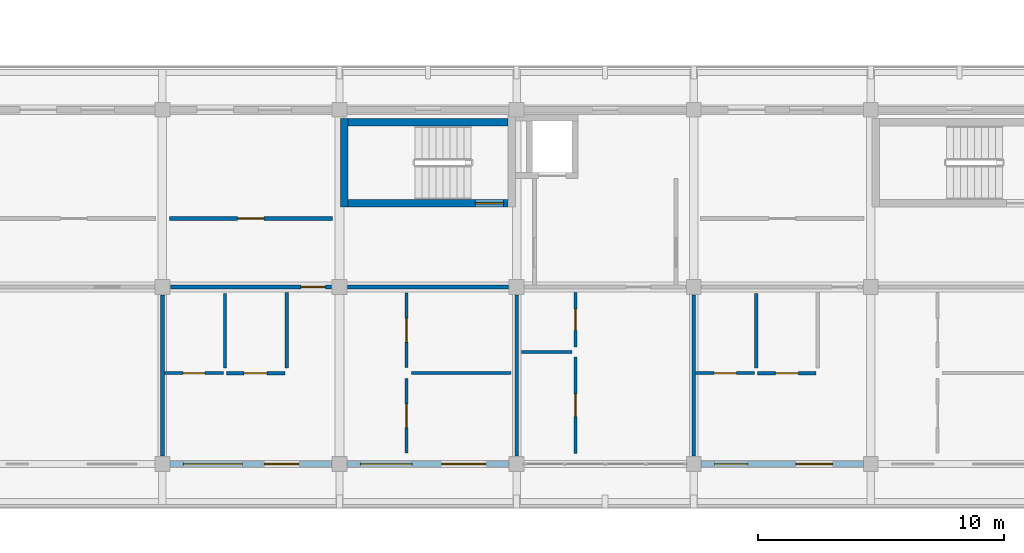
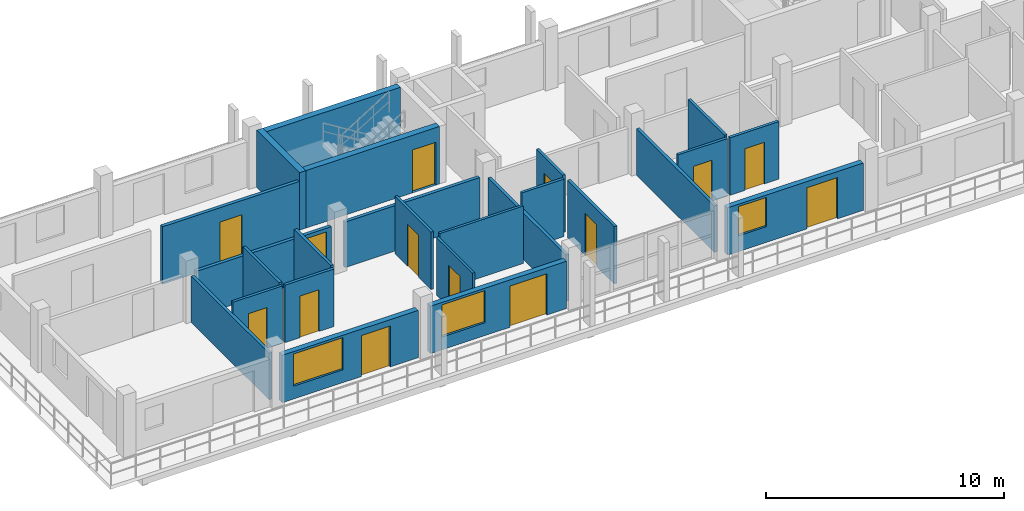
# One storey, part 52 of 78: 25 walls, 14 doors, 3 windows, 17 openings.
"""IFC4 building model written with IfcOpenShell, lengths in metres."""

from ifc_helpers import new_model, si_unit, direction, frame, frame_2d, origin, place, context, subcontext, project, spatial, rectangle, extrude, material, layer, layer_set, type_object, element, fill, save


model = new_model("IFC4")

# Units and contexts
model_context = context("Model", 3, precision=1e-05, world=origin(), true_north=direction((0.0, 1.0)))
body_context = subcontext(model_context, "Body", "Model", "MODEL_VIEW")
ifc_project = project(units=[si_unit("LENGTHUNIT", "METRE"), si_unit("AREAUNIT", "SQUARE_METRE"), si_unit("VOLUMEUNIT", "CUBIC_METRE"), si_unit("PLANEANGLEUNIT", "RADIAN"), si_unit("MASSUNIT", "GRAM", prefix="KILO")], contexts=[model_context])

# Site, building, storey
site_placement = place(None, origin())
site = spatial("IfcSite", under=ifc_project, at=site_placement, CompositionType="ELEMENT")
building_placement = place(site_placement, origin())
building = spatial("IfcBuilding", under=site, at=building_placement, Name="Suanplinth Sawtooth Commons", CompositionType="ELEMENT")
storey_placement = place(building_placement, frame((0.0, 0.0, 15.39990234375)))
storey = spatial("IfcBuildingStorey", under=building, at=storey_placement, Name="L04", CompositionType="ELEMENT", Elevation=15.39990234375)

# Wall, opening, door
ifc_material_1 = material(Name="Concrete C40/50", Category="concrete")
ifc_layer_1 = layer(ifc_material_1, 0.300048828125, Name="Standard RC stair and lift core wall 300mm")
ifc_layer_set_1 = layer_set([ifc_layer_1], Name="Concrete C40/50")
wall_type_1 = type_object("IfcWallType", Name="W-CR02", PredefinedType="SHEAR", material=ifc_layer_set_1)
wall_1_placement = place(storey_placement, frame((137.14990234375, 10.60009765625, 0.0), z_axis=(0.0, 0.0, 1.0), x_axis=(1.0, 0.0, 0.0)))
wall_1 = element("IfcWall", 1, at=wall_1_placement, inside=storey, type_object=wall_type_1, Name="W-L04-C-C1-STS", PredefinedType="SHEAR", context=body_context, shape_type="SweptSolid", body=[
    extrude(rectangle(XDim=6.5, YDim=0.300048828125, at=frame_2d((3.25, 0.0))), origin(), (0.0, 0.0, 1.0), 2.9501953125),
])
opening_1_placement = place(wall_1_placement, frame((5.169921875, 0.0, 0.0)))
opening_1 = element("IfcOpeningElement", 2, at=opening_1_placement, cuts=wall_1, Name="Opening FD0296", PredefinedType="OPENING", context=body_context, shape_type="SweptSolid", body=[
    extrude(rectangle(XDim=1.14990234375, YDim=2.199951171875, at=frame_2d((0.574951171875, 1.10009765625))), frame((0.0, 0.1650390625, 0.0), z_axis=(0.0, -1.0, 0.0), x_axis=(1.0, 0.0, 0.0)), (0.0, 0.0, 1.0), 0.329833984375),
])
ifc_material_2 = material(Name="Teak hardwood fire-rated door assembly", Category="wood")
door_type_1 = type_object("IfcDoorType", Name="FD-01", OperationType="NOTDEFINED", PredefinedType="DOOR", material=ifc_material_2)
door_1_placement = place(opening_1_placement, origin())
door_1 = element("IfcDoor", 3, at=door_1_placement, inside=storey, type_object=door_type_1, Name="Exit Stair Fire Door FD0296", OperationType="SINGLE_SWING_RIGHT", OverallHeight=2.199951171875, OverallWidth=1.14990234375, PredefinedType="DOOR", context=body_context, shape_type="SweptSolid", body=[
    extrude(rectangle(XDim=1.14990234375, YDim=2.199951171875, at=frame_2d((0.574951171875, 1.10009765625))), frame((0.0, 0.02490234375, 0.0), z_axis=(0.0, -1.0, 0.0), x_axis=(1.0, 0.0, 0.0)), (0.0, 0.0, 1.0), 0.050048828125),
])
fill(opening_1, door_1)

# Walls
wall_2_placement = place(storey_placement, frame((137.14990234375, 13.89990234375, 0.0), z_axis=(0.0, 0.0, 1.0), x_axis=(1.0, 0.0, 0.0)))
element("IfcWall", 4, at=wall_2_placement, inside=storey, type_object=wall_type_1, Name="W-L04-C-C1-STN", PredefinedType="SHEAR", context=body_context, shape_type="SweptSolid", body=[
    extrude(rectangle(XDim=6.5, YDim=0.300048828125, at=frame_2d((3.25, 0.0))), origin(), (0.0, 0.0, 1.0), 2.9501953125),
])
wall_3_placement = place(storey_placement, frame((137.0, 10.449951171875, 0.0), z_axis=(0.0, 0.0, 1.0), x_axis=(0.0, 1.0, 0.0)))
element("IfcWall", 5, at=wall_3_placement, inside=storey, type_object=wall_type_1, Name="W-L04-C-C1-STW", PredefinedType="SHEAR", context=body_context, shape_type="SweptSolid", body=[
    extrude(rectangle(XDim=3.60009765625, YDim=0.300048828125, at=frame_2d((1.800048828125, 0.0))), origin(), (0.0, 0.0, 1.0), 2.9501953125),
])

# Wall, openings, door, window
ifc_material_3 = material(Name="Precast concrete C40/50", Category="concrete")
ifc_layer_2 = layer(ifc_material_3, 0.260009765625, Name="Insulated precast courtyard facade wall 260mm")
ifc_layer_set_2 = layer_set([ifc_layer_2], Name="Precast concrete C40/50")
wall_type_2 = type_object("IfcWallType", Name="W-EX02", PredefinedType="ELEMENTEDWALL", material=ifc_layer_set_2)
wall_4_placement = place(storey_placement, frame((129.89990234375, 0.0, 0.0), z_axis=(0.0, 0.0, 1.0), x_axis=(1.0, 0.0, 0.0)))
wall_4 = element("IfcWall", 6, at=wall_4_placement, inside=storey, type_object=wall_type_2, Name="Facade Wall W-L04-C-S-18-0", PredefinedType="ELEMENTEDWALL", context=body_context, shape_type="SweptSolid", body=[
    extrude(rectangle(XDim=6.60009765625, YDim=0.260009765625, at=frame_2d((3.300048828125, 0.0))), origin(), (0.0, 0.0, 1.0), 2.43017578125),
])
opening_2_placement = place(wall_4_placement, frame((3.85009765625, 0.0, 0.0)))
opening_2 = element("IfcOpeningElement", 7, at=opening_2_placement, cuts=wall_4, Name="Opening ED0360", PredefinedType="OPENING", context=body_context, shape_type="SweptSolid", body=[
    extrude(rectangle(XDim=1.39990234375, YDim=2.10009765625, at=frame_2d((0.699951171875, 1.050048828125))), frame((0.0, 0.14501953125, 0.0), z_axis=(0.0, -1.0, 0.0), x_axis=(1.0, 0.0, 0.0)), (0.0, 0.0, 1.0), 0.289794921875),
])
opening_3_placement = place(wall_4_placement, frame((0.550048828125, 0.0, 0.659912109375)))
opening_3 = element("IfcOpeningElement", 8, at=opening_3_placement, cuts=wall_4, Name="Opening W0458", PredefinedType="OPENING", context=body_context, shape_type="SweptSolid", body=[
    extrude(rectangle(XDim=2.39990234375, YDim=1.64990234375, at=frame_2d((1.199951171875, 0.824951171875))), frame((0.0, 0.14501953125, 0.0), z_axis=(0.0, -1.0, 0.0), x_axis=(1.0, 0.0, 0.0)), (0.0, 0.0, 1.0), 0.289794921875),
])
ifc_material_4 = material(Name="Anodized aluminium and low-E glass", Category="aluminium")
door_type_2 = type_object("IfcDoorType", Name="SD-07", OperationType="SLIDING_TO_RIGHT", PredefinedType="DOOR", material=ifc_material_4)
door_2_placement = place(opening_2_placement, frame((1.39990234375, 0.0, 0.0), z_axis=(0.0, 0.0, 1.0), x_axis=(-1.0, 0.0, 0.0)))
door_2 = element("IfcDoor", 9, at=door_2_placement, inside=storey, type_object=door_type_2, Name="Balcony Sliding Door L04-C-18", OperationType="SLIDING_TO_RIGHT", OverallHeight=2.10009765625, OverallWidth=1.39990234375, PredefinedType="DOOR", context=body_context, shape_type="SweptSolid", body=[
    extrude(rectangle(XDim=1.39990234375, YDim=2.10009765625, at=frame_2d((0.699951171875, 1.050048828125))), frame((0.0, 0.02490234375, 0.0), z_axis=(0.0, -1.0, 0.0), x_axis=(1.0, 0.0, 0.0)), (0.0, 0.0, 1.0), 0.050048828125),
])
fill(opening_2, door_2)
ifc_material_5 = material(Name="Thermally broken aluminium and low-E double glazing", Category="aluminium")
window_type_1 = type_object("IfcWindowType", Name="WN-05", PartitioningType="TRIPLE_PANEL_VERTICAL", PredefinedType="WINDOW", material=ifc_material_5)
window_1_placement = place(opening_3_placement, origin())
window_1 = element("IfcWindow", 10, at=window_1_placement, inside=storey, type_object=window_type_1, Name="Apartment Window L04-C-18", OverallHeight=1.64990234375, OverallWidth=2.39990234375, PartitioningType="TRIPLE_PANEL_VERTICAL", PredefinedType="WINDOW", context=body_context, shape_type="SweptSolid", body=[
    extrude(rectangle(XDim=2.39990234375, YDim=1.64990234375, at=frame_2d((1.199951171875, 0.824951171875))), frame((0.0, 0.030029296875, 0.0), z_axis=(0.0, -1.0, 0.0), x_axis=(1.0, 0.0, 0.0)), (0.0, 0.0, 1.0), 0.06005859375),
])
fill(opening_3, window_1)

wall_5_placement = place(storey_placement, frame((137.10009765625, 0.0, 0.0), z_axis=(0.0, 0.0, 1.0), x_axis=(1.0, 0.0, 0.0)))
wall_5 = element("IfcWall", 11, at=wall_5_placement, inside=storey, type_object=wall_type_2, Name="Facade Wall W-L04-C-S-19-0", PredefinedType="ELEMENTEDWALL", context=body_context, shape_type="SweptSolid", body=[
    extrude(rectangle(XDim=6.599853515625, YDim=0.260009765625, at=frame_2d((3.2998046875, 0.0))), origin(), (0.0, 0.0, 1.0), 2.43017578125),
])
opening_4_placement = place(wall_5_placement, frame((3.85009765625, 0.0, 0.0)))
opening_4 = element("IfcOpeningElement", 12, at=opening_4_placement, cuts=wall_5, Name="Opening ED0362", PredefinedType="OPENING", context=body_context, shape_type="SweptSolid", body=[
    extrude(rectangle(XDim=1.800048828125, YDim=2.1201171875, at=frame_2d((0.89990234375, 1.06005859375))), frame((0.0, 0.14501953125, 0.0), z_axis=(0.0, -1.0, 0.0), x_axis=(1.0, 0.0, 0.0)), (0.0, 0.0, 1.0), 0.289794921875),
])
opening_5_placement = place(wall_5_placement, frame((0.550048828125, 0.0, 0.659912109375)))
opening_5 = element("IfcOpeningElement", 13, at=opening_5_placement, cuts=wall_5, Name="Opening W0460", PredefinedType="OPENING", context=body_context, shape_type="SweptSolid", body=[
    extrude(rectangle(XDim=2.10009765625, YDim=1.64990234375, at=frame_2d((1.050048828125, 0.824951171875))), frame((0.0, 0.14501953125, 0.0), z_axis=(0.0, -1.0, 0.0), x_axis=(1.0, 0.0, 0.0)), (0.0, 0.0, 1.0), 0.289794921875),
])
door_type_3 = type_object("IfcDoorType", Name="SD-01", OperationType="SLIDING_TO_LEFT", PredefinedType="DOOR", material=ifc_material_4)
door_3_placement = place(opening_4_placement, frame((1.800048828125, 0.0, 0.0), z_axis=(0.0, 0.0, 1.0), x_axis=(-1.0, 0.0, 0.0)))
door_3 = element("IfcDoor", 14, at=door_3_placement, inside=storey, type_object=door_type_3, Name="Balcony Sliding Door L04-C-19", OperationType="SLIDING_TO_LEFT", OverallHeight=2.1201171875, OverallWidth=1.800048828125, PredefinedType="DOOR", context=body_context, shape_type="SweptSolid", body=[
    extrude(rectangle(XDim=1.800048828125, YDim=2.1201171875, at=frame_2d((0.89990234375, 1.06005859375))), frame((0.0, 0.02490234375, 0.0), z_axis=(0.0, -1.0, 0.0), x_axis=(1.0, 0.0, 0.0)), (0.0, 0.0, 1.0), 0.050048828125),
])
fill(opening_4, door_3)
window_type_2 = type_object("IfcWindowType", Name="WN-06", PartitioningType="DOUBLE_PANEL_VERTICAL", PredefinedType="WINDOW", material=ifc_material_5)
window_2_placement = place(opening_5_placement, origin())
window_2 = element("IfcWindow", 15, at=window_2_placement, inside=storey, type_object=window_type_2, Name="Apartment Window L04-C-19", OverallHeight=1.64990234375, OverallWidth=2.10009765625, PartitioningType="DOUBLE_PANEL_VERTICAL", PredefinedType="WINDOW", context=body_context, shape_type="SweptSolid", body=[
    extrude(rectangle(XDim=2.10009765625, YDim=1.64990234375, at=frame_2d((1.050048828125, 0.824951171875))), frame((0.0, 0.030029296875, 0.0), z_axis=(0.0, -1.0, 0.0), x_axis=(1.0, 0.0, 0.0)), (0.0, 0.0, 1.0), 0.06005859375),
])
fill(opening_5, window_2)

wall_6_placement = place(storey_placement, frame((151.5, 0.0, 0.0), z_axis=(0.0, 0.0, 1.0), x_axis=(1.0, 0.0, 0.0)))
wall_6 = element("IfcWall", 16, at=wall_6_placement, inside=storey, type_object=wall_type_2, Name="Facade Wall W-L04-C-S-21-0", PredefinedType="ELEMENTEDWALL", context=body_context, shape_type="SweptSolid", body=[
    extrude(rectangle(XDim=6.60009765625, YDim=0.260009765625, at=frame_2d((3.300048828125, 0.0))), origin(), (0.0, 0.0, 1.0), 2.43017578125),
])
opening_6_placement = place(wall_6_placement, frame((3.85009765625, 0.0, 0.0)))
opening_6 = element("IfcOpeningElement", 17, at=opening_6_placement, cuts=wall_6, Name="Opening ED0363", PredefinedType="OPENING", context=body_context, shape_type="SweptSolid", body=[
    extrude(rectangle(XDim=1.5, YDim=2.1201171875, at=frame_2d((0.75, 1.06005859375))), frame((0.0, 0.14501953125, 0.0), z_axis=(0.0, -1.0, 0.0), x_axis=(1.0, 0.0, 0.0)), (0.0, 0.0, 1.0), 0.289794921875),
])
opening_7_placement = place(wall_6_placement, frame((0.550048828125, 0.0, 0.81005859375)))
opening_7 = element("IfcOpeningElement", 18, at=opening_7_placement, cuts=wall_6, Name="Opening W0463", PredefinedType="OPENING", context=body_context, shape_type="SweptSolid", body=[
    extrude(rectangle(XDim=1.35009765625, YDim=1.5, at=frame_2d((0.675048828125, 0.75))), frame((0.0, 0.14501953125, 0.0), z_axis=(0.0, -1.0, 0.0), x_axis=(1.0, 0.0, 0.0)), (0.0, 0.0, 1.0), 0.289794921875),
])
door_type_4 = type_object("IfcDoorType", Name="SD-03", OperationType="SLIDING_TO_LEFT", PredefinedType="DOOR", material=ifc_material_4)
door_4_placement = place(opening_6_placement, frame((1.5, 0.0, 0.0), z_axis=(0.0, 0.0, 1.0), x_axis=(-1.0, 0.0, 0.0)))
door_4 = element("IfcDoor", 19, at=door_4_placement, inside=storey, type_object=door_type_4, Name="Balcony Sliding Door L04-C-21", OperationType="SLIDING_TO_LEFT", OverallHeight=2.1201171875, OverallWidth=1.5, PredefinedType="DOOR", context=body_context, shape_type="SweptSolid", body=[
    extrude(rectangle(XDim=1.5, YDim=2.1201171875, at=frame_2d((0.75, 1.06005859375))), frame((0.0, 0.02490234375, 0.0), z_axis=(0.0, -1.0, 0.0), x_axis=(1.0, 0.0, 0.0)), (0.0, 0.0, 1.0), 0.050048828125),
])
fill(opening_6, door_4)
window_type_3 = type_object("IfcWindowType", Name="WN-14", PartitioningType="SINGLE_PANEL", PredefinedType="WINDOW", material=ifc_material_5)
window_3_placement = place(opening_7_placement, origin())
window_3 = element("IfcWindow", 20, at=window_3_placement, inside=storey, type_object=window_type_3, Name="Apartment Window L04-C-21", OverallHeight=1.5, OverallWidth=1.35009765625, PartitioningType="SINGLE_PANEL", PredefinedType="WINDOW", context=body_context, shape_type="SweptSolid", body=[
    extrude(rectangle(XDim=1.35009765625, YDim=1.5, at=frame_2d((0.675048828125, 0.75))), frame((0.0, 0.030029296875, 0.0), z_axis=(0.0, -1.0, 0.0), x_axis=(1.0, 0.0, 0.0)), (0.0, 0.0, 1.0), 0.06005859375),
])
fill(opening_7, window_3)

# Wall, opening, door
ifc_layer_3 = layer(ifc_material_3, 0.159912109375, Name="Fire-rated corridor and lobby wall 160mm")
ifc_layer_set_3 = layer_set([ifc_layer_3], Name="Precast concrete C40/50")
wall_type_3 = type_object("IfcWallType", Name="W-FW01", PredefinedType="PARTITIONING", material=ifc_layer_set_3)
wall_7_placement = place(storey_placement, frame((129.929931640625, 7.199951171875, 0.0), z_axis=(0.0, 0.0, 1.0), x_axis=(1.0, 0.0, 0.0)))
wall_7 = element("IfcWall", 21, at=wall_7_placement, inside=storey, type_object=wall_type_3, Name="W-C-L04-U02-COR-S1", PredefinedType="PARTITIONING", context=body_context, shape_type="SweptSolid", body=[
    extrude(rectangle(XDim=6.5400390625, YDim=0.159912109375, at=frame_2d((3.27001953125, 0.0))), origin(), (0.0, 0.0, 1.0), 2.335205078125),
])
opening_8_placement = place(wall_7_placement, frame((5.300048828125, 0.0, 0.0)))
opening_8 = element("IfcOpeningElement", 22, at=opening_8_placement, cuts=wall_7, Name="Opening FD1135", PredefinedType="OPENING", context=body_context, shape_type="SweptSolid", body=[
    extrude(rectangle(XDim=1.0, YDim=2.14990234375, at=frame_2d((0.5, 1.074951171875))), frame((0.0, 0.0947265625, 0.0), z_axis=(0.0, -1.0, 0.0), x_axis=(1.0, 0.0, 0.0)), (0.0, 0.0, 1.0), 0.189697265625),
])
door_type_5 = type_object("IfcDoorType", Name="FD-03", OperationType="NOTDEFINED", PredefinedType="DOOR", material=ifc_material_2)
door_5_placement = place(opening_8_placement, frame((1.0, 0.0, 0.0), z_axis=(0.0, 0.0, 1.0), x_axis=(-1.0, 0.0, 0.0)))
door_5 = element("IfcDoor", 23, at=door_5_placement, inside=storey, type_object=door_type_5, Name="Unit Entrance Door FD1135", OperationType="SINGLE_SWING_LEFT", OverallHeight=2.14990234375, OverallWidth=1.0, PredefinedType="DOOR", context=body_context, shape_type="SweptSolid", body=[
    extrude(rectangle(XDim=1.0, YDim=2.14990234375, at=frame_2d((0.5, 1.074951171875))), frame((0.0, 0.02490234375, 0.0), z_axis=(0.0, -1.0, 0.0), x_axis=(1.0, 0.0, 0.0)), (0.0, 0.0, 1.0), 0.050048828125),
])
fill(opening_8, door_5)

# Wall
wall_8_placement = place(storey_placement, frame((137.1298828125, 7.199951171875, 0.0), z_axis=(0.0, 0.0, 1.0), x_axis=(1.0, 0.0, 0.0)))
element("IfcWall", 24, at=wall_8_placement, inside=storey, type_object=wall_type_3, Name="W-C-L04-U02-COR-S2", PredefinedType="PARTITIONING", context=body_context, shape_type="SweptSolid", body=[
    extrude(rectangle(XDim=6.5400390625, YDim=0.159912109375, at=frame_2d((3.27001953125, 0.0))), origin(), (0.0, 0.0, 1.0), 2.335205078125),
])

# Wall, opening, door
wall_9_placement = place(storey_placement, frame((129.8798828125, 9.97998046875, 0.0), z_axis=(0.0, 0.0, 1.0), x_axis=(1.0, 0.0, 0.0)))
wall_9 = element("IfcWall", 25, at=wall_9_placement, inside=storey, type_object=wall_type_3, Name="W-C-L04-COURTROOM-49-COR", PredefinedType="PARTITIONING", context=body_context, shape_type="SweptSolid", body=[
    extrude(rectangle(XDim=6.64013671875, YDim=0.159912109375, at=frame_2d((3.320068359375, 0.0))), origin(), (0.0, 0.0, 1.0), 2.9501953125),
])
opening_9_placement = place(wall_9_placement, frame((2.780029296875, 0.0, 0.0)))
opening_9 = element("IfcOpeningElement", 26, at=opening_9_placement, cuts=wall_9, Name="Opening D1157", PredefinedType="OPENING", context=body_context, shape_type="SweptSolid", body=[
    extrude(rectangle(XDim=1.080078125, YDim=2.219970703125, at=frame_2d((0.5400390625, 1.10986328125))), frame((0.0, 0.0947265625, 0.0), z_axis=(0.0, -1.0, 0.0), x_axis=(1.0, 0.0, 0.0)), (0.0, 0.0, 1.0), 0.189697265625),
])
ifc_material_6 = material(Name="Teak hardwood", Category="wood")
door_type_6 = type_object("IfcDoorType", Name="D-17", OperationType="NOTDEFINED", PredefinedType="DOOR", material=ifc_material_6)
door_6_placement = place(opening_9_placement, origin())
door_6 = element("IfcDoor", 27, at=door_6_placement, inside=storey, type_object=door_type_6, Name="Study Studio Door D1157", OperationType="SINGLE_SWING_LEFT", OverallHeight=2.219970703125, OverallWidth=1.080078125, PredefinedType="DOOR", context=body_context, shape_type="SweptSolid", body=[
    extrude(rectangle(XDim=1.080078125, YDim=2.219970703125, at=frame_2d((0.5400390625, 1.10986328125))), frame((0.0, 0.02490234375, 0.0), z_axis=(0.0, -1.0, 0.0), x_axis=(1.0, 0.0, 0.0)), (0.0, 0.0, 1.0), 0.050048828125),
])
fill(opening_9, door_6)

# Walls
ifc_layer_4 = layer(ifc_material_3, 0.14990234375, Name="Acoustic precast party demising wall 150mm")
ifc_layer_set_4 = layer_set([ifc_layer_4], Name="Precast concrete C40/50")
wall_type_4 = type_object("IfcWallType", Name="W-FW02", PredefinedType="PARTITIONING", material=ifc_layer_set_4)
for number, where, z_axis, x_axis, name in (
    (28, (129.60009765625, 0.330078125, 0.0), (0.0, 0.0, 1.0), (0.0, 1.0, 0.0), "W-C-L04-U01-PTY"),
    (29, (144.0, 0.330078125, 0.0), (0.0, 0.0, 1.0), (0.0, 1.0, 0.0), "W-C-L04-U02-PTY"),
    (30, (151.199951171875, 0.330078125, 0.0), (0.0, 0.0, 1.0), (0.0, 1.0, 0.0), "W-C-L04-U03-PTY"),
):
    element("IfcWall", number, at=place(storey_placement, frame(where, z_axis=z_axis, x_axis=x_axis)), inside=storey, type_object=wall_type_4, Name=name, PredefinedType="PARTITIONING", context=body_context, shape_type="SweptSolid", body=[
        extrude(rectangle(XDim=6.5400390625, YDim=0.14990234375, at=frame_2d((3.27001953125, 0.0))), origin(), (0.0, 0.0, 1.0), 2.385009765625),
    ])

# Wall, opening, door
ifc_material_7 = material(Name="Gypsum plasterboard on steel stud", Category="steel")
ifc_layer_5 = layer(ifc_material_7, 0.139892578125, Name="Fire-rated kitchen partition 140mm")
ifc_layer_set_5 = layer_set([ifc_layer_5], Name="Gypsum plasterboard on steel stud")
wall_type_5 = type_object("IfcWallType", Name="W-PT01", PredefinedType="PARTITIONING", material=ifc_layer_set_5)
wall_10_placement = place(storey_placement, frame((132.199951171875, 3.68994140625, 0.0), z_axis=(0.0, 0.0, 1.0), x_axis=(1.0, 0.0, 0.0)))
wall_10 = element("IfcWall", 31, at=wall_10_placement, inside=storey, type_object=wall_type_5, Name="W-C-L04-U02-KIT1", PredefinedType="PARTITIONING", context=body_context, shape_type="SweptSolid", body=[
    extrude(rectangle(XDim=2.380126953125, YDim=0.139892578125, at=frame_2d((1.18994140625, 0.0))), origin(), (0.0, 0.0, 1.0), 2.9501953125),
])
opening_10_placement = place(wall_10_placement, frame((0.72509765625, 0.0, 0.0)))
opening_10 = element("IfcOpeningElement", 32, at=opening_10_placement, cuts=wall_10, Name="Opening D1137", PredefinedType="OPENING", context=body_context, shape_type="SweptSolid", body=[
    extrude(rectangle(XDim=0.929931640625, YDim=2.139892578125, at=frame_2d((0.46484375, 1.06982421875))), frame((0.0, 0.0849609375, 0.0), z_axis=(0.0, -1.0, 0.0), x_axis=(1.0, 0.0, 0.0)), (0.0, 0.0, 1.0), 0.169677734375),
])
door_type_7 = type_object("IfcDoorType", Name="D-19", OperationType="NOTDEFINED", PredefinedType="DOOR", material=ifc_material_6)
door_7_placement = place(opening_10_placement, origin())
door_7 = element("IfcDoor", 33, at=door_7_placement, inside=storey, type_object=door_type_7, Name="Kitchen Door D1137", OperationType="SINGLE_SWING_LEFT", OverallHeight=2.139892578125, OverallWidth=0.929931640625, PredefinedType="DOOR", context=body_context, shape_type="SweptSolid", body=[
    extrude(rectangle(XDim=0.929931640625, YDim=2.139892578125, at=frame_2d((0.46484375, 1.06982421875))), frame((0.0, 0.02490234375, 0.0), z_axis=(0.0, -1.0, 0.0), x_axis=(1.0, 0.0, 0.0)), (0.0, 0.0, 1.0), 0.050048828125),
])
fill(opening_10, door_7)

# Wall
wall_11_placement = place(storey_placement, frame((134.64990234375, 3.909912109375, 0.0), z_axis=(0.0, 0.0, 1.0), x_axis=(0.0, 1.0, 0.0)))
element("IfcWall", 34, at=wall_11_placement, inside=storey, type_object=wall_type_5, Name="W-C-L04-U02-KIT2", PredefinedType="PARTITIONING", context=body_context, shape_type="SweptSolid", body=[
    extrude(rectangle(XDim=3.06005859375, YDim=0.139892578125, at=frame_2d((1.530029296875, 0.0))), origin(), (0.0, 0.0, 1.0), 2.9501953125),
])

# Wall, opening, door
wall_12_placement = place(storey_placement, frame((146.39501953125, 0.419921875, 0.0), z_axis=(0.0, 0.0, 1.0), x_axis=(0.0, 1.0, 0.0)))
wall_12 = element("IfcWall", 35, at=wall_12_placement, inside=storey, type_object=wall_type_5, Name="W-C-L04-U03-KITE", PredefinedType="PARTITIONING", context=body_context, shape_type="SweptSolid", body=[
    extrude(rectangle(XDim=3.940185546875, YDim=0.139892578125, at=frame_2d((1.97021484375, 0.0))), origin(), (0.0, 0.0, 1.0), 2.9501953125),
])
opening_11_placement = place(wall_12_placement, frame((1.5048828125, 0.0, 0.0)))
opening_11 = element("IfcOpeningElement", 36, at=opening_11_placement, cuts=wall_12, Name="Opening D1142", PredefinedType="OPENING", context=body_context, shape_type="SweptSolid", body=[
    extrude(rectangle(XDim=0.929931640625, YDim=2.139892578125, at=frame_2d((0.46484375, 1.06982421875))), frame((0.0, 0.0849609375, 0.0), z_axis=(0.0, -1.0, 0.0), x_axis=(1.0, 0.0, 0.0)), (0.0, 0.0, 1.0), 0.169677734375),
])
door_8_placement = place(opening_11_placement, origin())
door_8 = element("IfcDoor", 37, at=door_8_placement, inside=storey, type_object=door_type_7, Name="Kitchen Door D1142", OperationType="SINGLE_SWING_RIGHT", OverallHeight=2.139892578125, OverallWidth=0.929931640625, PredefinedType="DOOR", context=body_context, shape_type="SweptSolid", body=[
    extrude(rectangle(XDim=0.929931640625, YDim=2.139892578125, at=frame_2d((0.46484375, 1.06982421875))), frame((0.0, 0.02490234375, 0.0), z_axis=(0.0, -1.0, 0.0), x_axis=(1.0, 0.0, 0.0)), (0.0, 0.0, 1.0), 0.050048828125),
])
fill(opening_11, door_8)

wall_13_placement = place(storey_placement, frame((153.800048828125, 3.68994140625, 0.0), z_axis=(0.0, 0.0, 1.0), x_axis=(1.0, 0.0, 0.0)))
wall_13 = element("IfcWall", 38, at=wall_13_placement, inside=storey, type_object=wall_type_5, Name="W-C-L04-U04-KIT1", PredefinedType="PARTITIONING", context=body_context, shape_type="SweptSolid", body=[
    extrude(rectangle(XDim=2.3798828125, YDim=0.139892578125, at=frame_2d((1.18994140625, 0.0))), origin(), (0.0, 0.0, 1.0), 2.9501953125),
])
opening_12_placement = place(wall_13_placement, frame((0.72509765625, 0.0, 0.0)))
opening_12 = element("IfcOpeningElement", 39, at=opening_12_placement, cuts=wall_13, Name="Opening D1145", PredefinedType="OPENING", context=body_context, shape_type="SweptSolid", body=[
    extrude(rectangle(XDim=0.929931640625, YDim=2.139892578125, at=frame_2d((0.46484375, 1.06982421875))), frame((0.0, 0.0849609375, 0.0), z_axis=(0.0, -1.0, 0.0), x_axis=(1.0, 0.0, 0.0)), (0.0, 0.0, 1.0), 0.169677734375),
])
door_9_placement = place(opening_12_placement, origin())
door_9 = element("IfcDoor", 40, at=door_9_placement, inside=storey, type_object=door_type_7, Name="Kitchen Door D1145", OperationType="SINGLE_SWING_LEFT", OverallHeight=2.139892578125, OverallWidth=0.929931640625, PredefinedType="DOOR", context=body_context, shape_type="SweptSolid", body=[
    extrude(rectangle(XDim=0.929931640625, YDim=2.139892578125, at=frame_2d((0.46484375, 1.06982421875))), frame((0.0, 0.02490234375, 0.0), z_axis=(0.0, -1.0, 0.0), x_axis=(1.0, 0.0, 0.0)), (0.0, 0.0, 1.0), 0.050048828125),
])
fill(opening_12, door_9)

ifc_layer_6 = layer(ifc_material_7, 0.1298828125, Name="Moisture-resistant bathroom partition 130mm")
ifc_layer_set_6 = layer_set([ifc_layer_6], Name="Gypsum plasterboard on steel stud")
wall_type_6 = type_object("IfcWallType", Name="W-PT02", PredefinedType="PARTITIONING", material=ifc_layer_set_6)
wall_14_placement = place(storey_placement, frame((129.679931640625, 3.695068359375, 0.0), z_axis=(0.0, 0.0, 1.0), x_axis=(1.0, 0.0, 0.0)))
wall_14 = element("IfcWall", 41, at=wall_14_placement, inside=storey, type_object=wall_type_6, Name="W-C-L04-U02-BTH1", PredefinedType="PARTITIONING", context=body_context, shape_type="SweptSolid", body=[
    extrude(rectangle(XDim=2.400146484375, YDim=0.1298828125, at=frame_2d((1.2001953125, 0.0))), origin(), (0.0, 0.0, 1.0), 2.9501953125),
])
opening_13_placement = place(wall_14_placement, frame((0.75, 0.0, 0.0)))
opening_13 = element("IfcOpeningElement", 42, at=opening_13_placement, cuts=wall_14, Name="Opening D1136", PredefinedType="OPENING", context=body_context, shape_type="SweptSolid", body=[
    extrude(rectangle(XDim=0.89990234375, YDim=2.10009765625, at=frame_2d((0.449951171875, 1.050048828125))), frame((0.0, 0.079833984375, 0.0), z_axis=(0.0, -1.0, 0.0), x_axis=(1.0, 0.0, 0.0)), (0.0, 0.0, 1.0), 0.15966796875),
])
door_type_8 = type_object("IfcDoorType", Name="D-01", OperationType="NOTDEFINED", PredefinedType="DOOR", material=ifc_material_6)
door_10_placement = place(opening_13_placement, origin())
door_10 = element("IfcDoor", 43, at=door_10_placement, inside=storey, type_object=door_type_8, Name="Bathroom Door D1136", OperationType="SINGLE_SWING_RIGHT", OverallHeight=2.10009765625, OverallWidth=0.89990234375, PredefinedType="DOOR", context=body_context, shape_type="SweptSolid", body=[
    extrude(rectangle(XDim=0.89990234375, YDim=2.10009765625, at=frame_2d((0.449951171875, 1.050048828125))), frame((0.0, 0.02490234375, 0.0), z_axis=(0.0, -1.0, 0.0), x_axis=(1.0, 0.0, 0.0)), (0.0, 0.0, 1.0), 0.050048828125),
])
fill(opening_13, door_10)

# Walls
wall_15_placement = place(storey_placement, frame((132.14501953125, 3.89990234375, 0.0), z_axis=(0.0, 0.0, 1.0), x_axis=(0.0, 1.0, 0.0)))
element("IfcWall", 44, at=wall_15_placement, inside=storey, type_object=wall_type_6, Name="W-C-L04-U02-BTH2", PredefinedType="PARTITIONING", context=body_context, shape_type="SweptSolid", body=[
    extrude(rectangle(XDim=3.0400390625, YDim=0.1298828125, at=frame_2d((1.52001953125, 0.0))), origin(), (0.0, 0.0, 1.0), 2.9501953125),
])
wall_16_placement = place(storey_placement, frame((144.199951171875, 4.56005859375, 0.0), z_axis=(0.0, 0.0, 1.0), x_axis=(1.0, 0.0, 0.0)))
element("IfcWall", 45, at=wall_16_placement, inside=storey, type_object=wall_type_6, Name="W-C-L04-U03-STDIV", PredefinedType="PARTITIONING", context=body_context, shape_type="SweptSolid", body=[
    extrude(rectangle(XDim=2.050048828125, YDim=0.1298828125, at=frame_2d((1.02490234375, 0.0))), origin(), (0.0, 0.0, 1.0), 2.9501953125),
])

# Wall, opening, door
wall_17_placement = place(storey_placement, frame((146.39501953125, 4.760009765625, 0.0), z_axis=(0.0, 0.0, 1.0), x_axis=(0.0, 1.0, 0.0)))
wall_17 = element("IfcWall", 46, at=wall_17_placement, inside=storey, type_object=wall_type_6, Name="W-C-L04-U03-BTHE", PredefinedType="PARTITIONING", context=body_context, shape_type="SweptSolid", body=[
    extrude(rectangle(XDim=2.219970703125, YDim=0.1298828125, at=frame_2d((1.10986328125, 0.0))), origin(), (0.0, 0.0, 1.0), 2.9501953125),
])
opening_14_placement = place(wall_17_placement, frame((0.669921875, 0.0, 0.0)))
opening_14 = element("IfcOpeningElement", 47, at=opening_14_placement, cuts=wall_17, Name="Opening D1141", PredefinedType="OPENING", context=body_context, shape_type="SweptSolid", body=[
    extrude(rectangle(XDim=0.8798828125, YDim=2.10009765625, at=frame_2d((0.43994140625, 1.050048828125))), frame((0.0, 0.079833984375, 0.0), z_axis=(0.0, -1.0, 0.0), x_axis=(1.0, 0.0, 0.0)), (0.0, 0.0, 1.0), 0.15966796875),
])
door_type_9 = type_object("IfcDoorType", Name="D-14", OperationType="NOTDEFINED", PredefinedType="DOOR", material=ifc_material_6)
door_11_placement = place(opening_14_placement, origin())
door_11 = element("IfcDoor", 48, at=door_11_placement, inside=storey, type_object=door_type_9, Name="Bathroom Door D1141", OperationType="SINGLE_SWING_LEFT", OverallHeight=2.10009765625, OverallWidth=0.8798828125, PredefinedType="DOOR", context=body_context, shape_type="SweptSolid", body=[
    extrude(rectangle(XDim=0.8798828125, YDim=2.10009765625, at=frame_2d((0.43994140625, 1.050048828125))), frame((0.0, 0.02490234375, 0.0), z_axis=(0.0, -1.0, 0.0), x_axis=(1.0, 0.0, 0.0)), (0.0, 0.0, 1.0), 0.050048828125),
])
fill(opening_14, door_11)

wall_18_placement = place(storey_placement, frame((151.280029296875, 3.695068359375, 0.0), z_axis=(0.0, 0.0, 1.0), x_axis=(1.0, 0.0, 0.0)))
wall_18 = element("IfcWall", 49, at=wall_18_placement, inside=storey, type_object=wall_type_6, Name="W-C-L04-U04-BTH1", PredefinedType="PARTITIONING", context=body_context, shape_type="SweptSolid", body=[
    extrude(rectangle(XDim=2.39990234375, YDim=0.1298828125, at=frame_2d((1.199951171875, 0.0))), origin(), (0.0, 0.0, 1.0), 2.9501953125),
])
opening_15_placement = place(wall_18_placement, frame((0.75, 0.0, 0.0)))
opening_15 = element("IfcOpeningElement", 50, at=opening_15_placement, cuts=wall_18, Name="Opening D1144", PredefinedType="OPENING", context=body_context, shape_type="SweptSolid", body=[
    extrude(rectangle(XDim=0.89990234375, YDim=2.10009765625, at=frame_2d((0.449951171875, 1.050048828125))), frame((0.0, 0.079833984375, 0.0), z_axis=(0.0, -1.0, 0.0), x_axis=(1.0, 0.0, 0.0)), (0.0, 0.0, 1.0), 0.15966796875),
])
door_12_placement = place(opening_15_placement, origin())
door_12 = element("IfcDoor", 51, at=door_12_placement, inside=storey, type_object=door_type_8, Name="Bathroom Door D1144", OperationType="SINGLE_SWING_RIGHT", OverallHeight=2.10009765625, OverallWidth=0.89990234375, PredefinedType="DOOR", context=body_context, shape_type="SweptSolid", body=[
    extrude(rectangle(XDim=0.89990234375, YDim=2.10009765625, at=frame_2d((0.449951171875, 1.050048828125))), frame((0.0, 0.02490234375, 0.0), z_axis=(0.0, -1.0, 0.0), x_axis=(1.0, 0.0, 0.0)), (0.0, 0.0, 1.0), 0.050048828125),
])
fill(opening_15, door_12)

# Wall
wall_19_placement = place(storey_placement, frame((153.7451171875, 3.89990234375, 0.0), z_axis=(0.0, 0.0, 1.0), x_axis=(0.0, 1.0, 0.0)))
element("IfcWall", 52, at=wall_19_placement, inside=storey, type_object=wall_type_6, Name="W-C-L04-U04-BTH2", PredefinedType="PARTITIONING", context=body_context, shape_type="SweptSolid", body=[
    extrude(rectangle(XDim=3.0400390625, YDim=0.1298828125, at=frame_2d((1.52001953125, 0.0))), origin(), (0.0, 0.0, 1.0), 2.9501953125),
])

# Wall, opening, door
ifc_layer_7 = layer(ifc_material_7, 0.1201171875, Name="Acoustic bedroom partition 120mm")
ifc_layer_set_7 = layer_set([ifc_layer_7], Name="Gypsum plasterboard on steel stud")
wall_type_7 = type_object("IfcWallType", Name="W-PT03", PredefinedType="PARTITIONING", material=ifc_layer_set_7)
wall_20_placement = place(storey_placement, frame((139.52001953125, 0.43994140625, 0.0), z_axis=(0.0, 0.0, 1.0), x_axis=(0.0, 1.0, 0.0)))
wall_20 = element("IfcWall", 53, at=wall_20_placement, inside=storey, type_object=wall_type_7, Name="W-C-L04-U02-BED1", PredefinedType="PARTITIONING", context=body_context, shape_type="SweptSolid", body=[
    extrude(rectangle(XDim=3.0400390625, YDim=0.1201171875, at=frame_2d((1.52001953125, 0.0))), origin(), (0.0, 0.0, 1.0), 2.9501953125),
])
opening_16_placement = place(wall_20_placement, frame((1.044921875, 0.0, 0.0)))
opening_16 = element("IfcOpeningElement", 54, at=opening_16_placement, cuts=wall_20, Name="Opening D1138", PredefinedType="OPENING", context=body_context, shape_type="SweptSolid", body=[
    extrude(rectangle(XDim=0.949951171875, YDim=2.14990234375, at=frame_2d((0.47509765625, 1.074951171875))), frame((0.0, 0.074951171875, 0.0), z_axis=(0.0, -1.0, 0.0), x_axis=(1.0, 0.0, 0.0)), (0.0, 0.0, 1.0), 0.14990234375),
])
door_type_10 = type_object("IfcDoorType", Name="D-03", OperationType="NOTDEFINED", PredefinedType="DOOR", material=ifc_material_6)
door_13_placement = place(opening_16_placement, frame((0.949951171875, 0.0, 0.0), z_axis=(0.0, 0.0, 1.0), x_axis=(-1.0, 0.0, 0.0)))
door_13 = element("IfcDoor", 55, at=door_13_placement, inside=storey, type_object=door_type_10, Name="Bedroom Door D1138", OperationType="SINGLE_SWING_RIGHT", OverallHeight=2.14990234375, OverallWidth=0.949951171875, PredefinedType="DOOR", context=body_context, shape_type="SweptSolid", body=[
    extrude(rectangle(XDim=0.949951171875, YDim=2.14990234375, at=frame_2d((0.47509765625, 1.074951171875))), frame((0.0, 0.02490234375, 0.0), z_axis=(0.0, -1.0, 0.0), x_axis=(1.0, 0.0, 0.0)), (0.0, 0.0, 1.0), 0.050048828125),
])
fill(opening_16, door_13)

wall_21_placement = place(storey_placement, frame((139.52001953125, 3.919921875, 0.0), z_axis=(0.0, 0.0, 1.0), x_axis=(0.0, 1.0, 0.0)))
wall_21 = element("IfcWall", 56, at=wall_21_placement, inside=storey, type_object=wall_type_7, Name="W-C-L04-U02-BED2", PredefinedType="PARTITIONING", context=body_context, shape_type="SweptSolid", body=[
    extrude(rectangle(XDim=3.0400390625, YDim=0.1201171875, at=frame_2d((1.52001953125, 0.0))), origin(), (0.0, 0.0, 1.0), 2.9501953125),
])
opening_17_placement = place(wall_21_placement, frame((1.0400390625, 0.0, 0.0)))
opening_17 = element("IfcOpeningElement", 57, at=opening_17_placement, cuts=wall_21, Name="Opening D1139", PredefinedType="OPENING", context=body_context, shape_type="SweptSolid", body=[
    extrude(rectangle(XDim=0.9599609375, YDim=2.14990234375, at=frame_2d((0.47998046875, 1.074951171875))), frame((0.0, 0.074951171875, 0.0), z_axis=(0.0, -1.0, 0.0), x_axis=(1.0, 0.0, 0.0)), (0.0, 0.0, 1.0), 0.14990234375),
])
door_type_11 = type_object("IfcDoorType", Name="D-13", OperationType="NOTDEFINED", PredefinedType="DOOR", material=ifc_material_6)
door_14_placement = place(opening_17_placement, frame((0.9599609375, 0.0, 0.0), z_axis=(0.0, 0.0, 1.0), x_axis=(-1.0, 0.0, 0.0)))
door_14 = element("IfcDoor", 58, at=door_14_placement, inside=storey, type_object=door_type_11, Name="Second Bedroom Door D1139", OperationType="SINGLE_SWING_LEFT", OverallHeight=2.14990234375, OverallWidth=0.9599609375, PredefinedType="DOOR", context=body_context, shape_type="SweptSolid", body=[
    extrude(rectangle(XDim=0.9599609375, YDim=2.14990234375, at=frame_2d((0.47998046875, 1.074951171875))), frame((0.0, 0.02490234375, 0.0), z_axis=(0.0, -1.0, 0.0), x_axis=(1.0, 0.0, 0.0)), (0.0, 0.0, 1.0), 0.050048828125),
])
fill(opening_17, door_14)

# Wall
ifc_layer_8 = layer(ifc_material_7, 0.125, Name="Acoustic study partition 125mm")
ifc_layer_set_8 = layer_set([ifc_layer_8], Name="Gypsum plasterboard on steel stud")
wall_type_8 = type_object("IfcWallType", Name="W-PT06", PredefinedType="PARTITIONING", material=ifc_layer_set_8)
wall_22_placement = place(storey_placement, frame((139.719970703125, 3.699951171875, 0.0), z_axis=(0.0, 0.0, 1.0), x_axis=(1.0, 0.0, 0.0)))
element("IfcWall", 59, at=wall_22_placement, inside=storey, type_object=wall_type_8, Name="W-C-L04-U02-BEDDIV", PredefinedType="PARTITIONING", context=body_context, shape_type="SweptSolid", body=[
    extrude(rectangle(XDim=4.06005859375, YDim=0.125, at=frame_2d((2.030029296875, 0.0))), origin(), (0.0, 0.0, 1.0), 2.9501953125),
])

save(model, "model.ifc")
